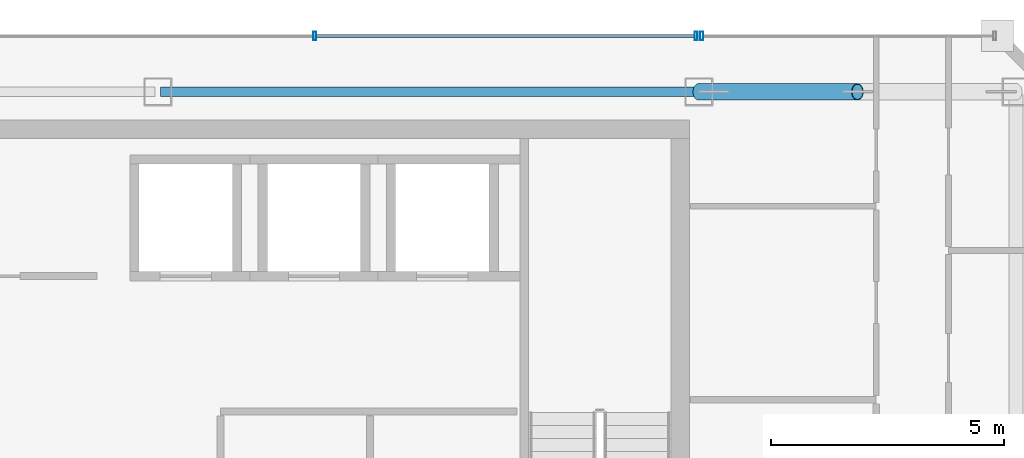
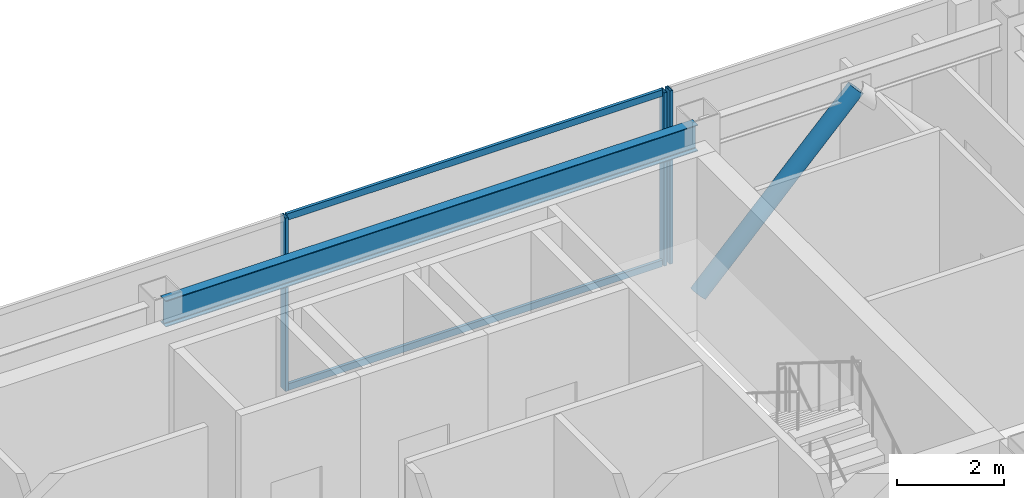
# One storey, part 12 of 20: 6 members, 1 beam, 2 elements without a shape of their own.
"""IFC4 building model written with IfcOpenShell, lengths in metres."""

from ifc_helpers import new_model, si_unit, direction, frame, origin, origin_2d, place, context, subcontext, project, spatial, hollow_rectangle, hollow_circle, i_section, extrude, material, material_profile, profile_set, type_object, element, aggregate, save


model = new_model("IFC4")

# Units and contexts
model_context = context("Model", 3, precision=1e-05, world=origin(), true_north=direction((0.0, 1.0)))
body_context = subcontext(model_context, "Body", "Model", "MODEL_VIEW")
ifc_project = project(units=[si_unit("LENGTHUNIT", "METRE"), si_unit("AREAUNIT", "SQUARE_METRE"), si_unit("VOLUMEUNIT", "CUBIC_METRE"), si_unit("PLANEANGLEUNIT", "RADIAN"), si_unit("MASSUNIT", "GRAM", prefix="KILO")], contexts=[model_context])

# Site, building, storey
site_placement = place(None, origin())
site = spatial("IfcSite", under=ifc_project, at=site_placement, CompositionType="ELEMENT")
building_placement = place(site_placement, origin())
building = spatial("IfcBuilding", under=site, at=building_placement, Name="Saevonmaru Cultural Tower", CompositionType="ELEMENT")
storey_placement = place(building_placement, frame((0.0, 0.0, 319.199951171875)))
storey = spatial("IfcBuildingStorey", under=building, at=storey_placement, Name="L76", CompositionType="ELEMENT", Elevation=319.199951171875)

# Beam
ifc_material_1 = material(Name="Steel SM355", Category="steel")
ifc_material_profile_1 = material_profile(ifc_material_1, i_section(OverallWidth=0.199951171875, OverallDepth=0.60009765625, WebThickness=0.010986328125, FlangeThickness=0.01708984375, FilletRadius=0.02197265625, at=origin_2d()), Name="H-600x200x11x17")
ifc_profile_set_1 = profile_set([ifc_material_profile_1], Name="Steel SM355")
beam_type = type_object("IfcBeamType", Name="BM-SP-H600", PredefinedType="SPANDREL", material=ifc_profile_set_1)
beam_placement = place(storey_placement, frame((34.860107421875, 54.800048828125, 3.650146484375), z_axis=(1.0, 0.0, 0.0), x_axis=(0.0, 1.0, 0.0)))
element("IfcBeam", 1, at=beam_placement, inside=storey, type_object=beam_type, Name="L76 North Spine Girder 4", PredefinedType="SPANDREL", context=body_context, shape_type="SweptSolid", body=[
    extrude(i_section(OverallWidth=0.199951171875, OverallDepth=0.60009765625, WebThickness=0.010986328125, FlangeThickness=0.01708984375, FilletRadius=0.02197265625, at=origin_2d()), origin(), (0.0, 0.0, 1.0), 11.47998046875),
])

# Member
ifc_material_profile_2 = material_profile(ifc_material_1, hollow_circle(Radius=0.177734375, WallThickness=0.01611328125, at=origin_2d()), Name="CHS-355.6x16")
ifc_profile_set_2 = profile_set([ifc_material_profile_2], Name="Steel SM355")
member_type_1 = type_object("IfcMemberType", Name="MB-PBR-CHS356", PredefinedType="BRACE", material=ifc_profile_set_2)
member_1_placement = place(storey_placement, frame((46.39990234375, 54.800048828125, 0.02001953125), z_axis=(0.696801128792, 0.0, 0.717264377279), x_axis=(0.0, 1.0, 0.0)))
element("IfcMember", 2, at=member_1_placement, inside=storey, type_object=member_type_1, Name="L76 Perimeter Braced-Tube Diagonal EN1", PredefinedType="BRACE", context=body_context, shape_type="SweptSolid", body=[
    extrude(hollow_circle(Radius=0.177734375, WallThickness=0.01611328125, at=origin_2d()), origin(), (0.0, 0.0, 1.0), 4.879638671875),
])

# Curtain wall, member
ifc_material_2 = material(Name="Satin Bronze Anodised Aluminium", Category="aluminium")
curtain_wall_type = type_object("IfcCurtainWallType", Name="CW-SKY-GLZ", PredefinedType="NOTDEFINED", material=ifc_material_2)
curtain_wall_1_placement = place(storey_placement, origin())
curtain_wall_1 = element("IfcCurtainWall", 3, at=curtain_wall_1_placement, inside=storey, type_object=curtain_wall_type, Name="L76 East Braced Bay Spandrel Curtain Wall E10A", PredefinedType="NOTDEFINED")
ifc_material_profile_3 = material_profile(ifc_material_2, hollow_rectangle(XDim=0.06494140625, YDim=0.179931640625, WallThickness=0.00390625, at=origin_2d()), Name="ALU-MULL-180x65x4")
ifc_profile_set_3 = profile_set([ifc_material_profile_3], Name="Satin Bronze Anodised Aluminium")
member_type_2 = type_object("IfcMemberType", Name="ML-CW-180x65", PredefinedType="MULLION", material=ifc_profile_set_3)
member_2_placement = place(storey_placement, frame((46.4599609375, 56.0, 0.0), z_axis=(0.0, 0.0, 1.0), x_axis=(-1.0, 0.0, 0.0)))
member_2 = element("IfcMember", 4, at=member_2_placement, type_object=member_type_2, Name="CW-TW-L76-E10A mullion 2", PredefinedType="MULLION", context=body_context, shape_type="SweptSolid", body=[
    extrude(hollow_rectangle(XDim=0.06494140625, YDim=0.179931640625, WallThickness=0.00390625, at=origin_2d()), origin(), (0.0, 0.0, 1.0), 3.949951171875),
])
aggregate(curtain_wall_1, [member_2])

# Curtain wall, members
curtain_wall_2_placement = place(storey_placement, origin())
curtain_wall_2 = element("IfcCurtainWall", 5, at=curtain_wall_2_placement, inside=storey, type_object=curtain_wall_type, Name="L76 North Spine Unitised Curtain Wall E10B", PredefinedType="NOTDEFINED")
member_3_placement = place(storey_placement, frame((46.340087890625, 56.0, 0.0), z_axis=(0.0, 0.0, 1.0), x_axis=(-1.0, 0.0, 0.0)))
member_3 = element("IfcMember", 6, at=member_3_placement, type_object=member_type_2, Name="CW-TW-L76-E10B mullion 1", PredefinedType="MULLION", context=body_context, shape_type="SweptSolid", body=[
    extrude(hollow_rectangle(XDim=0.06494140625, YDim=0.179931640625, WallThickness=0.00390625, at=origin_2d()), origin(), (0.0, 0.0, 1.0), 3.949951171875),
])
member_4_placement = place(storey_placement, frame((38.169921875, 56.0, 0.0), z_axis=(0.0, 0.0, 1.0), x_axis=(-1.0, 0.0, 0.0)))
member_4 = element("IfcMember", 7, at=member_4_placement, type_object=member_type_2, Name="CW-TW-L76-E10B mullion 2", PredefinedType="MULLION", context=body_context, shape_type="SweptSolid", body=[
    extrude(hollow_rectangle(XDim=0.06494140625, YDim=0.179931640625, WallThickness=0.00390625, at=origin_2d()), origin(), (0.0, 0.0, 1.0), 3.949951171875),
])
ifc_material_profile_4 = material_profile(ifc_material_2, hollow_rectangle(XDim=0.06494140625, YDim=0.14990234375, WallThickness=0.00390625, at=origin_2d()), Name="ALU-TRAN-150x65x4")
ifc_profile_set_4 = profile_set([ifc_material_profile_4], Name="Satin Bronze Anodised Aluminium")
member_type_3 = type_object("IfcMemberType", Name="TR-CW-150x65", PredefinedType="USERDEFINED", material=ifc_profile_set_4)
member_5_placement = place(storey_placement, frame((46.3076171875, 56.0, 0.032470703125), z_axis=(-1.0, 0.0, 0.0), x_axis=(0.0, -1.0, 0.0)))
member_5 = element("IfcMember", 8, at=member_5_placement, type_object=member_type_3, Name="CW-TW-L76-E10B transom 1.1", ObjectType="TRANSOM", PredefinedType="USERDEFINED", context=body_context, shape_type="SweptSolid", body=[
    extrude(hollow_rectangle(XDim=0.06494140625, YDim=0.14990234375, WallThickness=0.00390625, at=origin_2d()), origin(), (0.0, 0.0, 1.0), 8.105224609375),
])
member_6_placement = place(storey_placement, frame((46.3076171875, 56.0, 3.91748046875), z_axis=(-1.0, 0.0, 0.0), x_axis=(0.0, -1.0, 0.0)))
member_6 = element("IfcMember", 9, at=member_6_placement, type_object=member_type_3, Name="CW-TW-L76-E10B transom 1.2", ObjectType="TRANSOM", PredefinedType="USERDEFINED", context=body_context, shape_type="SweptSolid", body=[
    extrude(hollow_rectangle(XDim=0.06494140625, YDim=0.14990234375, WallThickness=0.00390625, at=origin_2d()), origin(), (0.0, 0.0, 1.0), 8.105224609375),
])
aggregate(curtain_wall_2, [member_3, member_4, member_5, member_6])

save(model, "model.ifc")
